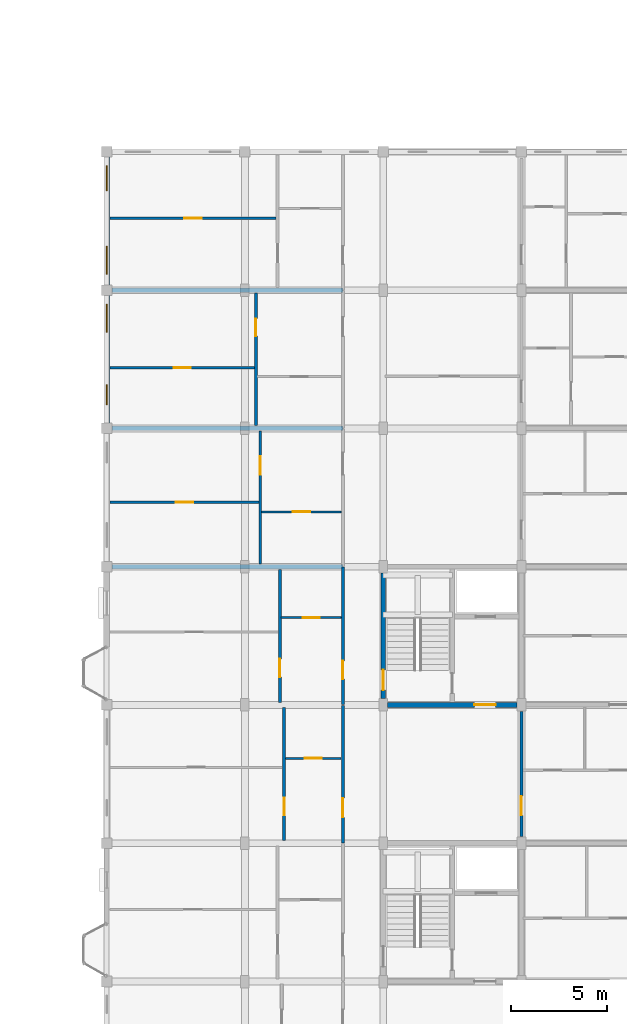
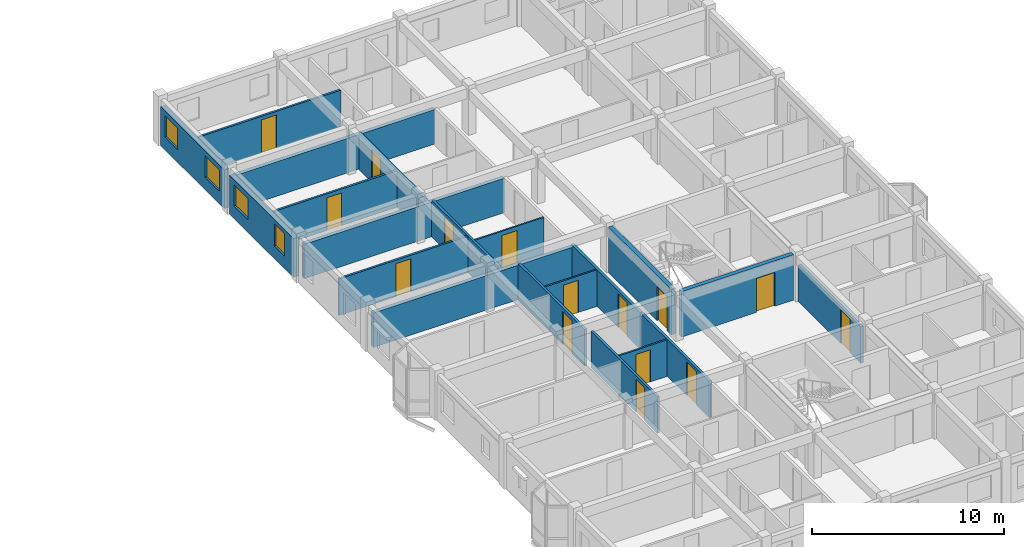
# One storey, part 62 of 77: 20 walls, 15 doors, 4 windows, 19 openings.
"""IFC4 building model written with IfcOpenShell, lengths in metres."""

from ifc_helpers import new_model, si_unit, direction, frame, frame_2d, origin, place, context, subcontext, project, spatial, rectangle, extrude, material, layer, layer_set, type_object, element, fill, save


model = new_model("IFC4")

# Units and contexts
model_context = context("Model", 3, precision=1e-05, world=origin(), true_north=direction((0.0, 1.0)))
body_context = subcontext(model_context, "Body", "Model", "MODEL_VIEW")
ifc_project = project(units=[si_unit("LENGTHUNIT", "METRE"), si_unit("AREAUNIT", "SQUARE_METRE"), si_unit("VOLUMEUNIT", "CUBIC_METRE"), si_unit("PLANEANGLEUNIT", "RADIAN"), si_unit("MASSUNIT", "GRAM", prefix="KILO"), si_unit("THERMODYNAMICTEMPERATUREUNIT", "KELVIN"), si_unit("POWERUNIT", "WATT")], contexts=[model_context])

# Site, building, storey
site_placement = place(None, origin())
site = spatial("IfcSite", under=ifc_project, at=site_placement, CompositionType="ELEMENT")
building_placement = place(site_placement, origin())
building = spatial("IfcBuilding", under=site, at=building_placement, Name="Tavuni Mirador Residences", CompositionType="ELEMENT")
storey_placement = place(building_placement, frame((0.0, 0.0, 17.10009765625)))
storey = spatial("IfcBuildingStorey", under=building, at=storey_placement, Name="L05", CompositionType="ELEMENT", Elevation=17.10009765625)

# Wall, opening, door
ifc_material_1 = material(Name="Precast concrete C40/50", Category="concrete")
ifc_layer_1 = layer(ifc_material_1, 0.25, Name="Precast concrete C40/50", Category="concrete")
ifc_layer_set_1 = layer_set([ifc_layer_1], Name="Precast concrete C40/50")
wall_type_1 = type_object("IfcWallType", Name="WT-COR250", PredefinedType="SHEAR", material=ifc_layer_set_1)
wall_1_placement = place(storey_placement, frame((104.39990234375, 108.324951171875, 0.0), z_axis=(0.0, 0.0, 1.0), x_axis=(0.0, 1.0, 0.0)))
wall_1 = element("IfcWall", 1, at=wall_1_placement, inside=storey, type_object=wall_type_1, Name="CWALL-C8-L05-W", PredefinedType="SHEAR", context=body_context, shape_type="SweptSolid", body=[
    extrude(rectangle(XDim=6.550048828125, YDim=0.25, at=frame_2d((3.27490234375, 0.0))), origin(), (0.0, 0.0, 1.0), 2.889892578125),
])
opening_1_placement = place(wall_1_placement, frame((0.449951171875, 0.0, 0.0)))
opening_1 = element("IfcOpeningElement", 2, at=opening_1_placement, cuts=wall_1, Name="Opening D-01", PredefinedType="OPENING", context=body_context, shape_type="SweptSolid", body=[
    extrude(rectangle(XDim=1.050048828125, YDim=2.14990234375, at=frame_2d((0.52490234375, 1.074951171875))), frame((0.0, 0.135009765625, 0.0), z_axis=(0.0, -1.0, 0.0), x_axis=(1.0, 0.0, 0.0)), (0.0, 0.0, 1.0), 0.27001953125),
])
ifc_material_2 = material(Name="Solid core iroko timber", Category="wood")
door_type_1 = type_object("IfcDoorType", Name="DT-ST1050", OperationType="NOTDEFINED", PredefinedType="DOOR", material=ifc_material_2)
door_1_placement = place(opening_1_placement, origin())
door_1 = element("IfcDoor", 3, at=door_1_placement, inside=storey, type_object=door_type_1, Name="DR-2333", OperationType="SINGLE_SWING_RIGHT", OverallHeight=2.14990234375, OverallWidth=1.050048828125, PredefinedType="DOOR", context=body_context, shape_type="SweptSolid", body=[
    extrude(rectangle(XDim=1.050048828125, YDim=2.14990234375, at=frame_2d((0.52490234375, 1.074951171875))), frame((0.0, 0.02490234375, 0.0), z_axis=(0.0, -1.0, 0.0), x_axis=(1.0, 0.0, 0.0)), (0.0, 0.0, 1.0), 0.050048828125),
])
fill(opening_1, door_1)

wall_2_placement = place(storey_placement, frame((104.625, 108.0, 0.0), z_axis=(0.0, 0.0, 1.0), x_axis=(1.0, 0.0, 0.0)))
wall_2 = element("IfcWall", 4, at=wall_2_placement, inside=storey, type_object=wall_type_1, Name="CWALL-C8-L05-SS", PredefinedType="SHEAR", context=body_context, shape_type="SweptSolid", body=[
    extrude(rectangle(XDim=6.75, YDim=0.25, at=frame_2d((3.375, 0.0))), origin(), (0.0, 0.0, 1.0), 2.889892578125),
])
opening_2_placement = place(wall_2_placement, frame((4.52490234375, 0.0, 0.0)))
opening_2 = element("IfcOpeningElement", 5, at=opening_2_placement, cuts=wall_2, Name="Opening D-02", PredefinedType="OPENING", context=body_context, shape_type="SweptSolid", body=[
    extrude(rectangle(XDim=1.10009765625, YDim=2.14990234375, at=frame_2d((0.550048828125, 1.074951171875))), frame((0.0, 0.135009765625, 0.0), z_axis=(0.0, -1.0, 0.0), x_axis=(1.0, 0.0, 0.0)), (0.0, 0.0, 1.0), 0.27001953125),
])
door_type_2 = type_object("IfcDoorType", Name="DT-LOB1100", OperationType="NOTDEFINED", PredefinedType="DOOR", material=ifc_material_2)
door_2_placement = place(opening_2_placement, frame((1.10009765625, 0.0, 0.0), z_axis=(0.0, 0.0, 1.0), x_axis=(-1.0, 0.0, 0.0)))
door_2 = element("IfcDoor", 6, at=door_2_placement, inside=storey, type_object=door_type_2, Name="DR-2334", OperationType="SINGLE_SWING_RIGHT", OverallHeight=2.14990234375, OverallWidth=1.10009765625, PredefinedType="DOOR", context=body_context, shape_type="SweptSolid", body=[
    extrude(rectangle(XDim=1.10009765625, YDim=2.14990234375, at=frame_2d((0.550048828125, 1.074951171875))), frame((0.0, 0.02490234375, 0.0), z_axis=(0.0, -1.0, 0.0), x_axis=(1.0, 0.0, 0.0)), (0.0, 0.0, 1.0), 0.050048828125),
])
fill(opening_2, door_2)

ifc_layer_2 = layer(ifc_material_1, 0.1650390625, Name="Precast concrete C40/50", Category="concrete")
ifc_layer_set_2 = layer_set([ifc_layer_2], Name="Precast concrete C40/50")
wall_type_2 = type_object("IfcWallType", Name="WT-CORR165", PredefinedType="PARTITIONING", material=ifc_layer_set_2)
wall_3_placement = place(storey_placement, frame((102.300048828125, 100.820068359375, 0.0), z_axis=(0.0, 0.0, 1.0), x_axis=(0.0, 1.0, 0.0)))
wall_3 = element("IfcWall", 7, at=wall_3_placement, inside=storey, type_object=wall_type_2, Name="CORW-BLK-D-L05-0-02", PredefinedType="PARTITIONING", context=body_context, shape_type="SweptSolid", body=[
    extrude(rectangle(XDim=7.159912109375, YDim=0.1650390625, at=frame_2d((3.580078125, 0.0))), origin(), (0.0, 0.0, 1.0), 2.324951171875),
])
opening_3_placement = place(wall_3_placement, frame((1.330078125, 0.0, 0.0)))
opening_3 = element("IfcOpeningElement", 8, at=opening_3_placement, cuts=wall_3, Name="Opening D-03", PredefinedType="OPENING", context=body_context, shape_type="SweptSolid", body=[
    extrude(rectangle(XDim=1.0, YDim=2.14990234375, at=frame_2d((0.5, 1.074951171875))), frame((0.0, 0.092529296875, 0.0), z_axis=(0.0, -1.0, 0.0), x_axis=(1.0, 0.0, 0.0)), (0.0, 0.0, 1.0), 0.18505859375),
])
door_type_3 = type_object("IfcDoorType", Name="DT-FD60-1000", OperationType="NOTDEFINED", PredefinedType="DOOR", material=ifc_material_2)
door_3_placement = place(opening_3_placement, origin())
door_3 = element("IfcDoor", 9, at=door_3_placement, inside=storey, type_object=door_type_3, Name="DR-2871", OperationType="SINGLE_SWING_RIGHT", OverallHeight=2.14990234375, OverallWidth=1.0, PredefinedType="DOOR", context=body_context, shape_type="SweptSolid", body=[
    extrude(rectangle(XDim=1.0, YDim=2.14990234375, at=frame_2d((0.5, 1.074951171875))), frame((0.0, 0.02490234375, 0.0), z_axis=(0.0, -1.0, 0.0), x_axis=(1.0, 0.0, 0.0)), (0.0, 0.0, 1.0), 0.050048828125),
])
fill(opening_3, door_3)

wall_4_placement = place(storey_placement, frame((102.300048828125, 108.02001953125, 0.0), z_axis=(0.0, 0.0, 1.0), x_axis=(0.0, 1.0, 0.0)))
wall_4 = element("IfcWall", 10, at=wall_4_placement, inside=storey, type_object=wall_type_2, Name="CORW-BLK-D-L05-0-03", PredefinedType="PARTITIONING", context=body_context, shape_type="SweptSolid", body=[
    extrude(rectangle(XDim=7.159912109375, YDim=0.1650390625, at=frame_2d((3.580078125, 0.0))), origin(), (0.0, 0.0, 1.0), 2.324951171875),
])
opening_4_placement = place(wall_4_placement, frame((1.330078125, 0.0, 0.0)))
opening_4 = element("IfcOpeningElement", 11, at=opening_4_placement, cuts=wall_4, Name="Opening D-19", PredefinedType="OPENING", context=body_context, shape_type="SweptSolid", body=[
    extrude(rectangle(XDim=0.93994140625, YDim=2.1201171875, at=frame_2d((0.469970703125, 1.06005859375))), frame((0.0, 0.092529296875, 0.0), z_axis=(0.0, -1.0, 0.0), x_axis=(1.0, 0.0, 0.0)), (0.0, 0.0, 1.0), 0.18505859375),
])
door_type_4 = type_object("IfcDoorType", Name="DT-FD60-940", OperationType="NOTDEFINED", PredefinedType="DOOR", material=ifc_material_2)
door_4_placement = place(opening_4_placement, origin())
door_4 = element("IfcDoor", 12, at=door_4_placement, inside=storey, type_object=door_type_4, Name="DR-2872", OperationType="SINGLE_SWING_LEFT", OverallHeight=2.1201171875, OverallWidth=0.93994140625, PredefinedType="DOOR", context=body_context, shape_type="SweptSolid", body=[
    extrude(rectangle(XDim=0.93994140625, YDim=2.1201171875, at=frame_2d((0.469970703125, 1.06005859375))), frame((0.0, 0.02490234375, 0.0), z_axis=(0.0, -1.0, 0.0), x_axis=(1.0, 0.0, 0.0)), (0.0, 0.0, 1.0), 0.050048828125),
])
fill(opening_4, door_4)

wall_5_placement = place(storey_placement, frame((111.60009765625, 101.14990234375, 0.0), z_axis=(0.0, 0.0, 1.0), x_axis=(0.0, 1.0, 0.0)))
wall_5 = element("IfcWall", 13, at=wall_5_placement, inside=storey, type_object=wall_type_2, Name="CORW-BLK-D-L05-1-02", PredefinedType="PARTITIONING", context=body_context, shape_type="SweptSolid", body=[
    extrude(rectangle(XDim=6.5, YDim=0.1650390625, at=frame_2d((3.25, 0.0))), origin(), (0.0, 0.0, 1.0), 2.324951171875),
])
opening_5_placement = place(wall_5_placement, frame((1.10009765625, 0.0, 0.0)))
opening_5 = element("IfcOpeningElement", 14, at=opening_5_placement, cuts=wall_5, Name="Opening D-03", PredefinedType="OPENING", context=body_context, shape_type="SweptSolid", body=[
    extrude(rectangle(XDim=1.0, YDim=2.14990234375, at=frame_2d((0.5, 1.074951171875))), frame((0.0, 0.092529296875, 0.0), z_axis=(0.0, -1.0, 0.0), x_axis=(1.0, 0.0, 0.0)), (0.0, 0.0, 1.0), 0.18505859375),
])
door_5_placement = place(opening_5_placement, origin())
door_5 = element("IfcDoor", 15, at=door_5_placement, inside=storey, type_object=door_type_3, Name="DR-2877", OperationType="SINGLE_SWING_RIGHT", OverallHeight=2.14990234375, OverallWidth=1.0, PredefinedType="DOOR", context=body_context, shape_type="SweptSolid", body=[
    extrude(rectangle(XDim=1.0, YDim=2.14990234375, at=frame_2d((0.5, 1.074951171875))), frame((0.0, 0.02490234375, 0.0), z_axis=(0.0, -1.0, 0.0), x_axis=(1.0, 0.0, 0.0)), (0.0, 0.0, 1.0), 0.050048828125),
])
fill(opening_5, door_5)

# Wall, openings, windows
ifc_material_3 = material(Name="Sgraffito lime-rendered precast concrete C40/50", Category="concrete")
ifc_layer_3 = layer(ifc_material_3, 0.27490234375, Name="Sgraffito lime-rendered precast concrete C40/50", Category="concrete")
ifc_layer_set_3 = layer_set([ifc_layer_3], Name="Sgraffito lime-rendered precast concrete C40/50")
wall_type_3 = type_object("IfcWallType", Name="WT-EXT-PC275", PredefinedType="SOLIDWALL", material=ifc_layer_set_3)
wall_6_placement = place(storey_placement, frame((90.0, 136.52490234375, 0.0), z_axis=(0.0, 0.0, 1.0), x_axis=(0.0, -1.0, 0.0)))
wall_6 = element("IfcWall", 16, at=wall_6_placement, inside=storey, type_object=wall_type_3, Name="EW-BLK-D-L05-W06", PredefinedType="SOLIDWALL", context=body_context, shape_type="SweptSolid", body=[
    extrude(rectangle(XDim=6.64990234375, YDim=0.27490234375, at=frame_2d((3.324951171875, 0.0))), origin(), (0.0, 0.0, 1.0), 2.4599609375),
])
opening_6_placement = place(wall_6_placement, frame((0.449951171875, 0.0, 0.780029296875)))
opening_6 = element("IfcOpeningElement", 17, at=opening_6_placement, cuts=wall_6, Name="Opening WN-22", PredefinedType="OPENING", context=body_context, shape_type="SweptSolid", body=[
    extrude(rectangle(XDim=1.300048828125, YDim=1.360107421875, at=frame_2d((0.64990234375, 0.68017578125))), frame((0.0, 0.1474609375, 0.0), z_axis=(0.0, -1.0, 0.0), x_axis=(1.0, 0.0, 0.0)), (0.0, 0.0, 1.0), 0.294921875),
])
opening_7_placement = place(wall_6_placement, frame((4.64990234375, 0.0, 0.780029296875)))
opening_7 = element("IfcOpeningElement", 18, at=opening_7_placement, cuts=wall_6, Name="Opening WN-24", PredefinedType="OPENING", context=body_context, shape_type="SweptSolid", body=[
    extrude(rectangle(XDim=1.4599609375, YDim=1.360107421875, at=frame_2d((0.72998046875, 0.68017578125))), frame((0.0, 0.1474609375, 0.0), z_axis=(0.0, -1.0, 0.0), x_axis=(1.0, 0.0, 0.0)), (0.0, 0.0, 1.0), 0.294921875),
])
ifc_material_4 = material(Name="Laminated solar-control glass", Category="glass")
window_type_1 = type_object("IfcWindowType", Name="WNT-22", PartitioningType="SINGLE_PANEL", PredefinedType="WINDOW", material=ifc_material_4)
window_1_placement = place(opening_6_placement, origin())
window_1 = element("IfcWindow", 19, at=window_1_placement, inside=storey, type_object=window_type_1, Name="WIN-1636", OverallHeight=1.360107421875, OverallWidth=1.300048828125, PartitioningType="SINGLE_PANEL", PredefinedType="WINDOW", context=body_context, shape_type="SweptSolid", body=[
    extrude(rectangle(XDim=1.300048828125, YDim=1.360107421875, at=frame_2d((0.64990234375, 0.68017578125))), frame((0.0, 0.030029296875, 0.0), z_axis=(0.0, -1.0, 0.0), x_axis=(1.0, 0.0, 0.0)), (0.0, 0.0, 1.0), 0.06005859375),
])
fill(opening_6, window_1)
window_type_2 = type_object("IfcWindowType", Name="WNT-24", PartitioningType="SINGLE_PANEL", PredefinedType="WINDOW", material=ifc_material_4)
window_2_placement = place(opening_7_placement, origin())
window_2 = element("IfcWindow", 20, at=window_2_placement, inside=storey, type_object=window_type_2, Name="WIN-1637", OverallHeight=1.360107421875, OverallWidth=1.4599609375, PartitioningType="SINGLE_PANEL", PredefinedType="WINDOW", context=body_context, shape_type="SweptSolid", body=[
    extrude(rectangle(XDim=1.4599609375, YDim=1.360107421875, at=frame_2d((0.72998046875, 0.68017578125))), frame((0.0, 0.030029296875, 0.0), z_axis=(0.0, -1.0, 0.0), x_axis=(1.0, 0.0, 0.0)), (0.0, 0.0, 1.0), 0.06005859375),
])
fill(opening_7, window_2)

ifc_layer_4 = layer(ifc_material_3, 0.2900390625, Name="Sgraffito lime-rendered precast concrete C40/50", Category="concrete")
ifc_layer_set_4 = layer_set([ifc_layer_4], Name="Sgraffito lime-rendered precast concrete C40/50")
wall_type_4 = type_object("IfcWallType", Name="WT-EXT-PC290", PredefinedType="SOLIDWALL", material=ifc_layer_set_4)
wall_7_placement = place(storey_placement, frame((90.0, 129.324951171875, 0.0), z_axis=(0.0, 0.0, 1.0), x_axis=(0.0, -1.0, 0.0)))
wall_7 = element("IfcWall", 21, at=wall_7_placement, inside=storey, type_object=wall_type_4, Name="EW-BLK-D-L05-W05", PredefinedType="SOLIDWALL", context=body_context, shape_type="SweptSolid", body=[
    extrude(rectangle(XDim=6.64990234375, YDim=0.2900390625, at=frame_2d((3.324951171875, 0.0))), origin(), (0.0, 0.0, 1.0), 2.4599609375),
])
opening_8_placement = place(wall_7_placement, frame((0.449951171875, 0.0, 0.780029296875)))
opening_8 = element("IfcOpeningElement", 22, at=opening_8_placement, cuts=wall_7, Name="Opening WN-24", PredefinedType="OPENING", context=body_context, shape_type="SweptSolid", body=[
    extrude(rectangle(XDim=1.4599609375, YDim=1.360107421875, at=frame_2d((0.72998046875, 0.68017578125))), frame((0.0, 0.155029296875, 0.0), z_axis=(0.0, -1.0, 0.0), x_axis=(1.0, 0.0, 0.0)), (0.0, 0.0, 1.0), 0.31005859375),
])
opening_9_placement = place(wall_7_placement, frame((4.64990234375, 0.0, 0.780029296875)))
opening_9 = element("IfcOpeningElement", 23, at=opening_9_placement, cuts=wall_7, Name="Opening WN-26", PredefinedType="OPENING", context=body_context, shape_type="SweptSolid", body=[
    extrude(rectangle(XDim=1.050048828125, YDim=1.43994140625, at=frame_2d((0.52490234375, 0.719970703125))), frame((0.0, 0.155029296875, 0.0), z_axis=(0.0, -1.0, 0.0), x_axis=(1.0, 0.0, 0.0)), (0.0, 0.0, 1.0), 0.31005859375),
])
window_3_placement = place(opening_8_placement, origin())
window_3 = element("IfcWindow", 24, at=window_3_placement, inside=storey, type_object=window_type_2, Name="WIN-1638", OverallHeight=1.360107421875, OverallWidth=1.4599609375, PartitioningType="SINGLE_PANEL", PredefinedType="WINDOW", context=body_context, shape_type="SweptSolid", body=[
    extrude(rectangle(XDim=1.4599609375, YDim=1.360107421875, at=frame_2d((0.72998046875, 0.68017578125))), frame((0.0, 0.030029296875, 0.0), z_axis=(0.0, -1.0, 0.0), x_axis=(1.0, 0.0, 0.0)), (0.0, 0.0, 1.0), 0.06005859375),
])
fill(opening_8, window_3)
window_type_3 = type_object("IfcWindowType", Name="WNT-26", PartitioningType="SINGLE_PANEL", PredefinedType="WINDOW", material=ifc_material_4)
window_4_placement = place(opening_9_placement, origin())
window_4 = element("IfcWindow", 25, at=window_4_placement, inside=storey, type_object=window_type_3, Name="WIN-1639", OverallHeight=1.43994140625, OverallWidth=1.050048828125, PartitioningType="SINGLE_PANEL", PredefinedType="WINDOW", context=body_context, shape_type="SweptSolid", body=[
    extrude(rectangle(XDim=1.050048828125, YDim=1.43994140625, at=frame_2d((0.52490234375, 0.719970703125))), frame((0.0, 0.030029296875, 0.0), z_axis=(0.0, -1.0, 0.0), x_axis=(1.0, 0.0, 0.0)), (0.0, 0.0, 1.0), 0.06005859375),
])
fill(opening_9, window_4)

# Wall, opening, door
ifc_material_5 = material(Name="Acoustic gypsum and concrete block partition", Category="concrete")
ifc_layer_5 = layer(ifc_material_5, 0.094970703125, Name="Acoustic gypsum and concrete block partition", Category="concrete")
ifc_layer_set_5 = layer_set([ifc_layer_5], Name="Acoustic gypsum and concrete block partition")
wall_type_5 = type_object("IfcWallType", Name="WT-PART095", PredefinedType="PARTITIONING", material=ifc_layer_set_5)
wall_8_placement = place(storey_placement, frame((99.090087890625, 112.550048828125, 0.0), z_axis=(0.0, 0.0, 1.0), x_axis=(1.0, 0.0, 0.0)))
wall_8 = element("IfcWall", 26, at=wall_8_placement, inside=storey, type_object=wall_type_5, Name="PW-BLK-D-L05-W03-IN1", PredefinedType="PARTITIONING", context=body_context, shape_type="SweptSolid", body=[
    extrude(rectangle(XDim=3.119873046875, YDim=0.094970703125, at=frame_2d((1.56005859375, 0.0))), origin(), (0.0, 0.0, 1.0), 2.324951171875),
])
opening_10_placement = place(wall_8_placement, frame((1.110107421875, 0.0, 0.0)))
opening_10 = element("IfcOpeningElement", 27, at=opening_10_placement, cuts=wall_8, Name="Opening D-09", PredefinedType="OPENING", context=body_context, shape_type="SweptSolid", body=[
    extrude(rectangle(XDim=0.89990234375, YDim=2.050048828125, at=frame_2d((0.449951171875, 1.02490234375))), frame((0.0, 0.0576171875, 0.0), z_axis=(0.0, -1.0, 0.0), x_axis=(1.0, 0.0, 0.0)), (0.0, 0.0, 1.0), 0.114990234375),
])
door_type_5 = type_object("IfcDoorType", Name="DT-WC900", OperationType="NOTDEFINED", PredefinedType="DOOR", material=ifc_material_2)
door_6_placement = place(opening_10_placement, origin())
door_6 = element("IfcDoor", 28, at=door_6_placement, inside=storey, type_object=door_type_5, Name="DR-4488", OperationType="SINGLE_SWING_RIGHT", OverallHeight=2.050048828125, OverallWidth=0.89990234375, PredefinedType="DOOR", context=body_context, shape_type="SweptSolid", body=[
    extrude(rectangle(XDim=0.89990234375, YDim=2.050048828125, at=frame_2d((0.449951171875, 1.02490234375))), frame((0.0, 0.02490234375, 0.0), z_axis=(0.0, -1.0, 0.0), x_axis=(1.0, 0.0, 0.0)), (0.0, 0.0, 1.0), 0.050048828125),
])
fill(opening_10, door_6)

wall_9_placement = place(storey_placement, frame((98.070068359375, 118.050048828125, 0.0), z_axis=(0.0, 0.0, 1.0), x_axis=(1.0, 0.0, 0.0)))
wall_9 = element("IfcWall", 29, at=wall_9_placement, inside=storey, type_object=wall_type_5, Name="PW-BLK-D-L05-W04-IN1", PredefinedType="PARTITIONING", context=body_context, shape_type="SweptSolid", body=[
    extrude(rectangle(XDim=4.139892578125, YDim=0.094970703125, at=frame_2d((2.06982421875, 0.0))), origin(), (0.0, 0.0, 1.0), 2.324951171875),
])
opening_11_placement = place(wall_9_placement, frame((1.6201171875, 0.0, 0.0)))
opening_11 = element("IfcOpeningElement", 30, at=opening_11_placement, cuts=wall_9, Name="Opening D-09", PredefinedType="OPENING", context=body_context, shape_type="SweptSolid", body=[
    extrude(rectangle(XDim=0.89990234375, YDim=2.050048828125, at=frame_2d((0.449951171875, 1.02490234375))), frame((0.0, 0.0576171875, 0.0), z_axis=(0.0, -1.0, 0.0), x_axis=(1.0, 0.0, 0.0)), (0.0, 0.0, 1.0), 0.114990234375),
])
door_7_placement = place(opening_11_placement, origin())
door_7 = element("IfcDoor", 31, at=door_7_placement, inside=storey, type_object=door_type_5, Name="DR-4492", OperationType="SINGLE_SWING_RIGHT", OverallHeight=2.050048828125, OverallWidth=0.89990234375, PredefinedType="DOOR", context=body_context, shape_type="SweptSolid", body=[
    extrude(rectangle(XDim=0.89990234375, YDim=2.050048828125, at=frame_2d((0.449951171875, 1.02490234375))), frame((0.0, 0.02490234375, 0.0), z_axis=(0.0, -1.0, 0.0), x_axis=(1.0, 0.0, 0.0)), (0.0, 0.0, 1.0), 0.050048828125),
])
fill(opening_11, door_7)

ifc_layer_6 = layer(ifc_material_5, 0.10498046875, Name="Acoustic gypsum and concrete block partition", Category="concrete")
ifc_layer_set_6 = layer_set([ifc_layer_6], Name="Acoustic gypsum and concrete block partition")
wall_type_6 = type_object("IfcWallType", Name="WT-PART105", PredefinedType="PARTITIONING", material=ifc_layer_set_6)
wall_10_placement = place(storey_placement, frame((99.31005859375, 105.219970703125, 0.0), z_axis=(0.0, 0.0, 1.0), x_axis=(1.0, 0.0, 0.0)))
wall_10 = element("IfcWall", 32, at=wall_10_placement, inside=storey, type_object=wall_type_6, Name="PW-BLK-D-L05-W02-IN1", PredefinedType="PARTITIONING", context=body_context, shape_type="SweptSolid", body=[
    extrude(rectangle(XDim=2.89990234375, YDim=0.10498046875, at=frame_2d((1.449951171875, 0.0))), origin(), (0.0, 0.0, 1.0), 2.324951171875),
])
opening_12_placement = place(wall_10_placement, frame((1.014892578125, 0.0, 0.0)))
opening_12 = element("IfcOpeningElement", 33, at=opening_12_placement, cuts=wall_10, Name="Opening D-10", PredefinedType="OPENING", context=body_context, shape_type="SweptSolid", body=[
    extrude(rectangle(XDim=0.8701171875, YDim=2.050048828125, at=frame_2d((0.43505859375, 1.02490234375))), frame((0.0, 0.0625, 0.0), z_axis=(0.0, -1.0, 0.0), x_axis=(1.0, 0.0, 0.0)), (0.0, 0.0, 1.0), 0.125),
])
door_type_6 = type_object("IfcDoorType", Name="DT-WC870", OperationType="NOTDEFINED", PredefinedType="DOOR", material=ifc_material_2)
door_8_placement = place(opening_12_placement, origin())
door_8 = element("IfcDoor", 34, at=door_8_placement, inside=storey, type_object=door_type_6, Name="DR-4483", OperationType="SINGLE_SWING_LEFT", OverallHeight=2.050048828125, OverallWidth=0.8701171875, PredefinedType="DOOR", context=body_context, shape_type="SweptSolid", body=[
    extrude(rectangle(XDim=0.8701171875, YDim=2.050048828125, at=frame_2d((0.43505859375, 1.02490234375))), frame((0.0, 0.02490234375, 0.0), z_axis=(0.0, -1.0, 0.0), x_axis=(1.0, 0.0, 0.0)), (0.0, 0.0, 1.0), 0.050048828125),
])
fill(opening_12, door_8)

ifc_layer_7 = layer(ifc_material_5, 0.125, Name="Acoustic gypsum and concrete block partition", Category="concrete")
ifc_layer_set_7 = layer_set([ifc_layer_7], Name="Acoustic gypsum and concrete block partition")
wall_type_7 = type_object("IfcWallType", Name="WT-PART125", PredefinedType="PARTITIONING", material=ifc_layer_set_7)
wall_11_placement = place(storey_placement, frame((90.175048828125, 118.550048828125, 0.0), z_axis=(0.0, 0.0, 1.0), x_axis=(1.0, 0.0, 0.0)))
wall_11 = element("IfcWall", 35, at=wall_11_placement, inside=storey, type_object=wall_type_7, Name="PW-BLK-D-L05-W04-OUT", PredefinedType="PARTITIONING", context=body_context, shape_type="SweptSolid", body=[
    extrude(rectangle(XDim=7.7548828125, YDim=0.125, at=frame_2d((3.87744140625, 0.0))), origin(), (0.0, 0.0, 1.0), 2.324951171875),
])
opening_13_placement = place(wall_11_placement, frame((3.427490234375, 0.0, 0.0)))
opening_13 = element("IfcOpeningElement", 36, at=opening_13_placement, cuts=wall_11, Name="Opening D-07", PredefinedType="OPENING", context=body_context, shape_type="SweptSolid", body=[
    extrude(rectangle(XDim=0.89990234375, YDim=2.10009765625, at=frame_2d((0.449951171875, 1.050048828125))), frame((0.0, 0.072509765625, 0.0), z_axis=(0.0, -1.0, 0.0), x_axis=(1.0, 0.0, 0.0)), (0.0, 0.0, 1.0), 0.14501953125),
])
door_type_7 = type_object("IfcDoorType", Name="DT-BED900", OperationType="NOTDEFINED", PredefinedType="DOOR", material=ifc_material_2)
door_9_placement = place(opening_13_placement, origin())
door_9 = element("IfcDoor", 37, at=door_9_placement, inside=storey, type_object=door_type_7, Name="DR-4491", OperationType="SINGLE_SWING_LEFT", OverallHeight=2.10009765625, OverallWidth=0.89990234375, PredefinedType="DOOR", context=body_context, shape_type="SweptSolid", body=[
    extrude(rectangle(XDim=0.89990234375, YDim=2.10009765625, at=frame_2d((0.449951171875, 1.050048828125))), frame((0.0, 0.02490234375, 0.0), z_axis=(0.0, -1.0, 0.0), x_axis=(1.0, 0.0, 0.0)), (0.0, 0.0, 1.0), 0.050048828125),
])
fill(opening_13, door_9)

wall_12_placement = place(storey_placement, frame((90.175048828125, 125.550048828125, 0.0), z_axis=(0.0, 0.0, 1.0), x_axis=(1.0, 0.0, 0.0)))
wall_12 = element("IfcWall", 38, at=wall_12_placement, inside=storey, type_object=wall_type_7, Name="PW-BLK-D-L05-W05-OUT", PredefinedType="PARTITIONING", context=body_context, shape_type="SweptSolid", body=[
    extrude(rectangle(XDim=7.52490234375, YDim=0.125, at=frame_2d((3.762451171875, 0.0))), origin(), (0.0, 0.0, 1.0), 2.324951171875),
])
opening_14_placement = place(wall_12_placement, frame((3.322509765625, 0.0, 0.0)))
opening_14 = element("IfcOpeningElement", 39, at=opening_14_placement, cuts=wall_12, Name="Opening D-08", PredefinedType="OPENING", context=body_context, shape_type="SweptSolid", body=[
    extrude(rectangle(XDim=0.8798828125, YDim=2.080078125, at=frame_2d((0.43994140625, 1.0400390625))), frame((0.0, 0.072509765625, 0.0), z_axis=(0.0, -1.0, 0.0), x_axis=(1.0, 0.0, 0.0)), (0.0, 0.0, 1.0), 0.14501953125),
])
door_type_8 = type_object("IfcDoorType", Name="DT-BED880", OperationType="NOTDEFINED", PredefinedType="DOOR", material=ifc_material_2)
door_10_placement = place(opening_14_placement, origin())
door_10 = element("IfcDoor", 40, at=door_10_placement, inside=storey, type_object=door_type_8, Name="DR-4497", OperationType="SINGLE_SWING_RIGHT", OverallHeight=2.080078125, OverallWidth=0.8798828125, PredefinedType="DOOR", context=body_context, shape_type="SweptSolid", body=[
    extrude(rectangle(XDim=0.8798828125, YDim=2.080078125, at=frame_2d((0.43994140625, 1.0400390625))), frame((0.0, 0.02490234375, 0.0), z_axis=(0.0, -1.0, 0.0), x_axis=(1.0, 0.0, 0.0)), (0.0, 0.0, 1.0), 0.050048828125),
])
fill(opening_14, door_10)

wall_13_placement = place(storey_placement, frame((90.175048828125, 133.35009765625, 0.0), z_axis=(0.0, 0.0, 1.0), x_axis=(1.0, 0.0, 0.0)))
wall_13 = element("IfcWall", 41, at=wall_13_placement, inside=storey, type_object=wall_type_7, Name="PW-BLK-D-L05-W06-OUT", PredefinedType="PARTITIONING", context=body_context, shape_type="SweptSolid", body=[
    extrude(rectangle(XDim=8.655029296875, YDim=0.125, at=frame_2d((4.32763671875, 0.0))), origin(), (0.0, 0.0, 1.0), 2.324951171875),
])
opening_15_placement = place(wall_13_placement, frame((3.87744140625, 0.0, 0.0)))
opening_15 = element("IfcOpeningElement", 42, at=opening_15_placement, cuts=wall_13, Name="Opening D-07", PredefinedType="OPENING", context=body_context, shape_type="SweptSolid", body=[
    extrude(rectangle(XDim=0.89990234375, YDim=2.10009765625, at=frame_2d((0.449951171875, 1.050048828125))), frame((0.0, 0.072509765625, 0.0), z_axis=(0.0, -1.0, 0.0), x_axis=(1.0, 0.0, 0.0)), (0.0, 0.0, 1.0), 0.14501953125),
])
door_11_placement = place(opening_15_placement, origin())
door_11 = element("IfcDoor", 43, at=door_11_placement, inside=storey, type_object=door_type_7, Name="DR-4503", OperationType="SINGLE_SWING_LEFT", OverallHeight=2.10009765625, OverallWidth=0.89990234375, PredefinedType="DOOR", context=body_context, shape_type="SweptSolid", body=[
    extrude(rectangle(XDim=0.89990234375, YDim=2.10009765625, at=frame_2d((0.449951171875, 1.050048828125))), frame((0.0, 0.02490234375, 0.0), z_axis=(0.0, -1.0, 0.0), x_axis=(1.0, 0.0, 0.0)), (0.0, 0.0, 1.0), 0.050048828125),
])
fill(opening_15, door_11)

ifc_layer_8 = layer(ifc_material_5, 0.139892578125, Name="Acoustic gypsum and concrete block partition", Category="concrete")
ifc_layer_set_8 = layer_set([ifc_layer_8], Name="Acoustic gypsum and concrete block partition")
wall_type_8 = type_object("IfcWallType", Name="WT-PART140", PredefinedType="PARTITIONING", material=ifc_layer_set_8)
wall_14_placement = place(storey_placement, frame((99.239990234375, 100.93994140625, 0.0), z_axis=(0.0, 0.0, 1.0), x_axis=(0.0, 1.0, 0.0)))
wall_14 = element("IfcWall", 44, at=wall_14_placement, inside=storey, type_object=wall_type_8, Name="PW-BLK-D-L05-W02-MID", PredefinedType="PARTITIONING", context=body_context, shape_type="SweptSolid", body=[
    extrude(rectangle(XDim=6.920166015625, YDim=0.139892578125, at=frame_2d((3.4599609375, 0.0))), origin(), (0.0, 0.0, 1.0), 2.324951171875),
])
opening_16_placement = place(wall_14_placement, frame((1.31005859375, 0.0, 0.0)))
opening_16 = element("IfcOpeningElement", 45, at=opening_16_placement, cuts=wall_14, Name="Opening D-06", PredefinedType="OPENING", context=body_context, shape_type="SweptSolid", body=[
    extrude(rectangle(XDim=0.919921875, YDim=2.10009765625, at=frame_2d((0.4599609375, 1.050048828125))), frame((0.0, 0.080078125, 0.0), z_axis=(0.0, -1.0, 0.0), x_axis=(1.0, 0.0, 0.0)), (0.0, 0.0, 1.0), 0.159912109375),
])
door_type_9 = type_object("IfcDoorType", Name="DT-INT920", OperationType="NOTDEFINED", PredefinedType="DOOR", material=ifc_material_2)
door_12_placement = place(opening_16_placement, origin())
door_12 = element("IfcDoor", 46, at=door_12_placement, inside=storey, type_object=door_type_9, Name="DR-4484", OperationType="SINGLE_SWING_RIGHT", OverallHeight=2.10009765625, OverallWidth=0.919921875, PredefinedType="DOOR", context=body_context, shape_type="SweptSolid", body=[
    extrude(rectangle(XDim=0.919921875, YDim=2.10009765625, at=frame_2d((0.4599609375, 1.050048828125))), frame((0.0, 0.02490234375, 0.0), z_axis=(0.0, -1.0, 0.0), x_axis=(1.0, 0.0, 0.0)), (0.0, 0.0, 1.0), 0.050048828125),
])
fill(opening_16, door_12)

ifc_layer_9 = layer(ifc_material_5, 0.14990234375, Name="Acoustic gypsum and concrete block partition", Category="concrete")
ifc_layer_set_9 = layer_set([ifc_layer_9], Name="Acoustic gypsum and concrete block partition")
wall_type_9 = type_object("IfcWallType", Name="WT-PART150", PredefinedType="PARTITIONING", material=ifc_layer_set_9)
wall_15_placement = place(storey_placement, frame((99.02001953125, 108.139892578125, 0.0), z_axis=(0.0, 0.0, 1.0), x_axis=(0.0, 1.0, 0.0)))
wall_15 = element("IfcWall", 47, at=wall_15_placement, inside=storey, type_object=wall_type_9, Name="PW-BLK-D-L05-W03-MID", PredefinedType="PARTITIONING", context=body_context, shape_type="SweptSolid", body=[
    extrude(rectangle(XDim=6.920166015625, YDim=0.14990234375, at=frame_2d((3.4599609375, 0.0))), origin(), (0.0, 0.0, 1.0), 2.324951171875),
])
opening_17_placement = place(wall_15_placement, frame((1.31005859375, 0.0, 0.0)))
opening_17 = element("IfcOpeningElement", 48, at=opening_17_placement, cuts=wall_15, Name="Opening D-05", PredefinedType="OPENING", context=body_context, shape_type="SweptSolid", body=[
    extrude(rectangle(XDim=0.949951171875, YDim=2.10009765625, at=frame_2d((0.47509765625, 1.050048828125))), frame((0.0, 0.0849609375, 0.0), z_axis=(0.0, -1.0, 0.0), x_axis=(1.0, 0.0, 0.0)), (0.0, 0.0, 1.0), 0.169921875),
])
door_type_10 = type_object("IfcDoorType", Name="DT-INT950", OperationType="NOTDEFINED", PredefinedType="DOOR", material=ifc_material_2)
door_13_placement = place(opening_17_placement, origin())
door_13 = element("IfcDoor", 49, at=door_13_placement, inside=storey, type_object=door_type_10, Name="DR-4489", OperationType="SINGLE_SWING_LEFT", OverallHeight=2.10009765625, OverallWidth=0.949951171875, PredefinedType="DOOR", context=body_context, shape_type="SweptSolid", body=[
    extrude(rectangle(XDim=0.949951171875, YDim=2.10009765625, at=frame_2d((0.47509765625, 1.050048828125))), frame((0.0, 0.02490234375, 0.0), z_axis=(0.0, -1.0, 0.0), x_axis=(1.0, 0.0, 0.0)), (0.0, 0.0, 1.0), 0.050048828125),
])
fill(opening_17, door_13)

wall_16_placement = place(storey_placement, frame((98.0, 115.340087890625, 0.0), z_axis=(0.0, 0.0, 1.0), x_axis=(0.0, 1.0, 0.0)))
wall_16 = element("IfcWall", 50, at=wall_16_placement, inside=storey, type_object=wall_type_9, Name="PW-BLK-D-L05-W04-MID", PredefinedType="PARTITIONING", context=body_context, shape_type="SweptSolid", body=[
    extrude(rectangle(XDim=6.919921875, YDim=0.14990234375, at=frame_2d((3.4599609375, 0.0))), origin(), (0.0, 0.0, 1.0), 2.324951171875),
])
opening_18_placement = place(wall_16_placement, frame((4.659912109375, 0.0, 0.0)))
opening_18 = element("IfcOpeningElement", 51, at=opening_18_placement, cuts=wall_16, Name="Opening D-05", PredefinedType="OPENING", context=body_context, shape_type="SweptSolid", body=[
    extrude(rectangle(XDim=0.949951171875, YDim=2.10009765625, at=frame_2d((0.47509765625, 1.050048828125))), frame((0.0, 0.0849609375, 0.0), z_axis=(0.0, -1.0, 0.0), x_axis=(1.0, 0.0, 0.0)), (0.0, 0.0, 1.0), 0.169921875),
])
door_14_placement = place(opening_18_placement, origin())
door_14 = element("IfcDoor", 52, at=door_14_placement, inside=storey, type_object=door_type_10, Name="DR-4493", OperationType="SINGLE_SWING_LEFT", OverallHeight=2.10009765625, OverallWidth=0.949951171875, PredefinedType="DOOR", context=body_context, shape_type="SweptSolid", body=[
    extrude(rectangle(XDim=0.949951171875, YDim=2.10009765625, at=frame_2d((0.47509765625, 1.050048828125))), frame((0.0, 0.02490234375, 0.0), z_axis=(0.0, -1.0, 0.0), x_axis=(1.0, 0.0, 0.0)), (0.0, 0.0, 1.0), 0.050048828125),
])
fill(opening_18, door_14)

wall_17_placement = place(storey_placement, frame((97.77001953125, 122.5400390625, 0.0), z_axis=(0.0, 0.0, 1.0), x_axis=(0.0, 1.0, 0.0)))
wall_17 = element("IfcWall", 53, at=wall_17_placement, inside=storey, type_object=wall_type_9, Name="PW-BLK-D-L05-W05-MID", PredefinedType="PARTITIONING", context=body_context, shape_type="SweptSolid", body=[
    extrude(rectangle(XDim=6.919921875, YDim=0.14990234375, at=frame_2d((3.4599609375, 0.0))), origin(), (0.0, 0.0, 1.0), 2.324951171875),
])
opening_19_placement = place(wall_17_placement, frame((4.659912109375, 0.0, 0.0)))
opening_19 = element("IfcOpeningElement", 54, at=opening_19_placement, cuts=wall_17, Name="Opening D-06", PredefinedType="OPENING", context=body_context, shape_type="SweptSolid", body=[
    extrude(rectangle(XDim=0.919921875, YDim=2.10009765625, at=frame_2d((0.4599609375, 1.050048828125))), frame((0.0, 0.0849609375, 0.0), z_axis=(0.0, -1.0, 0.0), x_axis=(1.0, 0.0, 0.0)), (0.0, 0.0, 1.0), 0.169921875),
])
door_15_placement = place(opening_19_placement, origin())
door_15 = element("IfcDoor", 55, at=door_15_placement, inside=storey, type_object=door_type_9, Name="DR-4499", OperationType="SINGLE_SWING_RIGHT", OverallHeight=2.10009765625, OverallWidth=0.919921875, PredefinedType="DOOR", context=body_context, shape_type="SweptSolid", body=[
    extrude(rectangle(XDim=0.919921875, YDim=2.10009765625, at=frame_2d((0.4599609375, 1.050048828125))), frame((0.0, 0.02490234375, 0.0), z_axis=(0.0, -1.0, 0.0), x_axis=(1.0, 0.0, 0.0)), (0.0, 0.0, 1.0), 0.050048828125),
])
fill(opening_19, door_15)

# Walls
ifc_layer_10 = layer(ifc_material_1, 0.235107421875, Name="Precast concrete C40/50", Category="concrete")
ifc_layer_set_10 = layer_set([ifc_layer_10], Name="Precast concrete C40/50")
wall_type_10 = type_object("IfcWallType", Name="WT-XW235", PredefinedType="SOLIDWALL", material=ifc_layer_set_10)
for number, where, z_axis, x_axis, name in (
    (56, (90.27490234375, 115.199951171875, 0.0), (0.0, 0.0, 1.0), (1.0, 0.0, 0.0), "XW-BLK-D-L05-W-04"),
    (57, (90.27490234375, 122.39990234375, 0.0), (0.0, 0.0, 1.0), (1.0, 0.0, 0.0), "XW-BLK-D-L05-W-05"),
    (58, (90.27490234375, 129.60009765625, 0.0), (0.0, 0.0, 1.0), (1.0, 0.0, 0.0), "XW-BLK-D-L05-W-06"),
):
    element("IfcWall", number, at=place(storey_placement, frame(where, z_axis=z_axis, x_axis=x_axis)), inside=storey, type_object=wall_type_10, Name=name, PredefinedType="SOLIDWALL", context=body_context, shape_type="SweptSolid", body=[
        extrude(rectangle(XDim=12.025146484375, YDim=0.235107421875, at=frame_2d((6.0126953125, 0.0))), origin(), (0.0, 0.0, 1.0), 2.18994140625),
    ])

save(model, "model.ifc")
